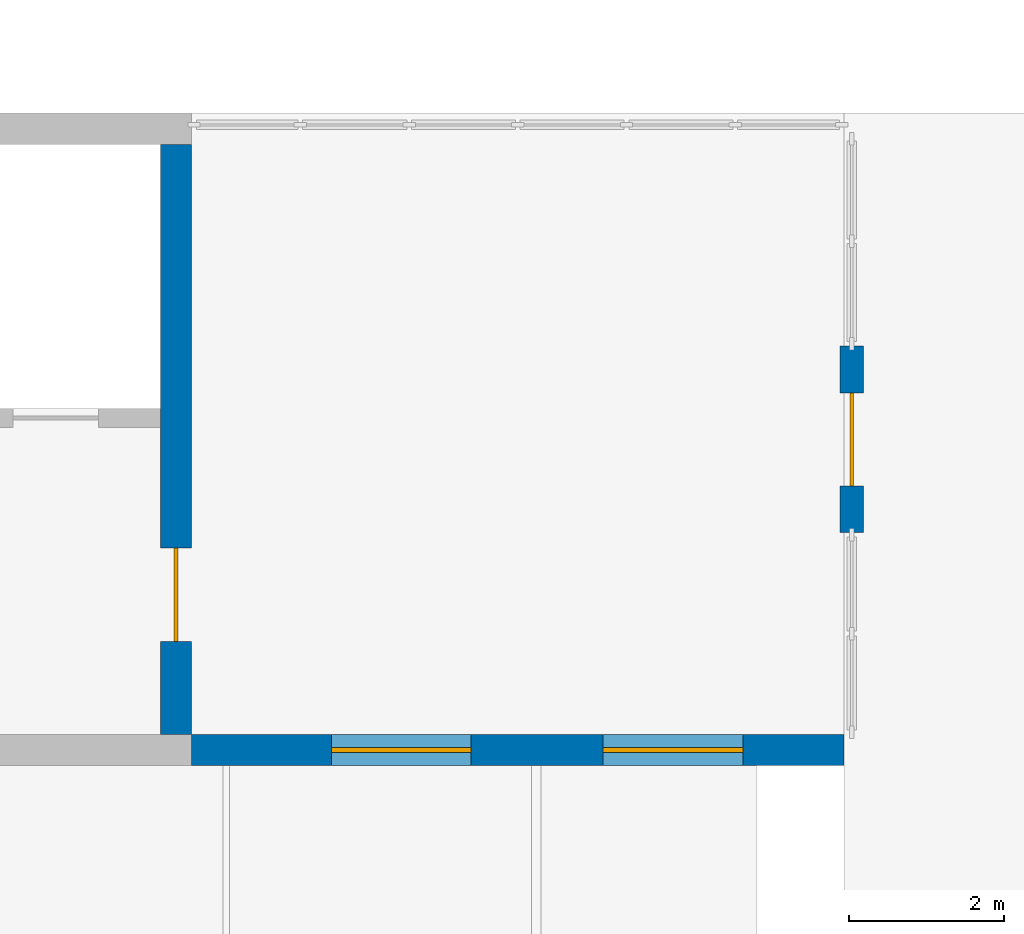
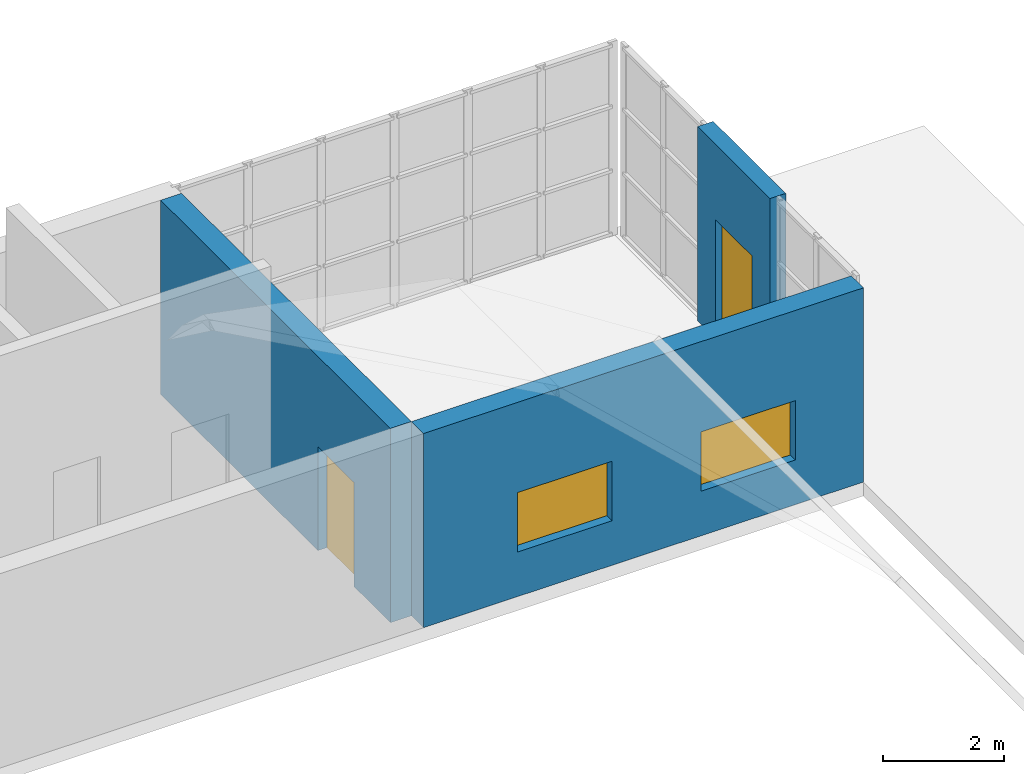
# One storey, part 79 of 100: 3 walls, 2 doors, 2 windows, 4 openings.
"""IFC4 building model written with IfcOpenShell, lengths in metres."""

from ifc_helpers import new_model, si_unit, direction, frame, frame_2d, origin, place, context, subcontext, project, spatial, rectangle, extrude, material, layer, layer_set, type_object, element, fill, save


model = new_model("IFC4")

# Units and contexts
model_context = context("Model", 3, precision=1e-05, world=origin(), true_north=direction((0.0, 1.0)))
body_context = subcontext(model_context, "Body", "Model", "MODEL_VIEW")
ifc_project = project(units=[si_unit("LENGTHUNIT", "METRE"), si_unit("AREAUNIT", "SQUARE_METRE"), si_unit("VOLUMEUNIT", "CUBIC_METRE"), si_unit("PLANEANGLEUNIT", "RADIAN"), si_unit("MASSUNIT", "GRAM", prefix="KILO")], contexts=[model_context])

# Site, building, storey
site_placement = place(None, origin())
site = spatial("IfcSite", under=ifc_project, at=site_placement, CompositionType="ELEMENT")
building_placement = place(site_placement, origin())
building = spatial("IfcBuilding", under=site, at=building_placement, Name="Cresset Court Congress Hotel", CompositionType="ELEMENT")
storey_placement = place(building_placement, frame((0.0, 0.0, 10.199951171875)))
storey = spatial("IfcBuildingStorey", under=building, at=storey_placement, Name="L02", CompositionType="ELEMENT", Elevation=10.199951171875)

# Wall, opening, door
ifc_material_1 = material(Name="Concrete C50", Category="concrete")
ifc_layer_1 = layer(ifc_material_1, 0.39990234375)
ifc_layer_set_1 = layer_set([ifc_layer_1], Name="RC core wall 400 C50")
wall_type_1 = type_object("IfcWallType", Name="RC core wall 400 C50", PredefinedType="SOLIDWALL", material=ifc_layer_set_1)
wall_1_placement = place(storey_placement, frame((142.60009765625, 101.199951171875, 0.0), z_axis=(0.0, 0.0, 1.0), x_axis=(0.0, 1.0, 0.0)))
wall_1 = element("IfcWall", 1, at=wall_1_placement, inside=storey, type_object=wall_type_1, Name="Core east wall", PredefinedType="SOLIDWALL", context=body_context, shape_type="SweptSolid", body=[
    extrude(rectangle(XDim=7.60009765625, YDim=0.39990234375, at=frame_2d((3.800048828125, 0.0))), origin(), (0.0, 0.0, 1.0), 3.920166015625),
])
opening_1_placement = place(wall_1_placement, frame((1.199951171875, 0.0, 0.0)))
opening_1 = element("IfcOpeningElement", 2, at=opening_1_placement, cuts=wall_1, Name="Opening DE-02-08", PredefinedType="OPENING", context=body_context, shape_type="SweptSolid", body=[
    extrude(rectangle(XDim=1.199951171875, YDim=2.10009765625, at=frame_2d((0.60009765625, 1.050048828125))), frame((0.0, 0.2099609375, 0.0), z_axis=(0.0, -1.0, 0.0), x_axis=(1.0, 0.0, 0.0)), (0.0, 0.0, 1.0), 0.419921875),
])
ifc_material_2 = material(Name="Timber door leaf", Category="wood")
door_type_1 = type_object("IfcDoorType", Name="Lift lobby door 1200x2100", OperationType="SINGLE_SWING_LEFT", PredefinedType="DOOR", material=ifc_material_2)
door_1_placement = place(opening_1_placement, origin())
door_1 = element("IfcDoor", 3, at=door_1_placement, inside=storey, type_object=door_type_1, Name="Lift lobby door DE-02-08", OperationType="SINGLE_SWING_LEFT", OverallHeight=2.10009765625, OverallWidth=1.199951171875, PredefinedType="DOOR", context=body_context, shape_type="SweptSolid", body=[
    extrude(rectangle(XDim=1.199951171875, YDim=2.10009765625, at=frame_2d((0.60009765625, 1.050048828125))), frame((0.0, 0.02490234375, 0.0), z_axis=(0.0, -1.0, 0.0), x_axis=(1.0, 0.0, 0.0)), (0.0, 0.0, 1.0), 0.050048828125),
])
fill(opening_1, door_1)

ifc_material_3 = material(Name="Concrete C40", Category="concrete")
ifc_layer_2 = layer(ifc_material_3, 0.300048828125)
ifc_layer_set_2 = layer_set([ifc_layer_2], Name="RC external wall 300 C40")
wall_type_2 = type_object("IfcWallType", Name="RC external wall 300 C40", PredefinedType="SOLIDWALL", material=ifc_layer_set_2)
wall_2_placement = place(storey_placement, frame((151.300048828125, 103.800048828125, 0.0), z_axis=(0.0, 0.0, 1.0), x_axis=(0.0, 1.0, 0.0)))
wall_2 = element("IfcWall", 4, at=wall_2_placement, inside=storey, type_object=wall_type_2, Name="Terrace door wall", PredefinedType="SOLIDWALL", context=body_context, shape_type="SweptSolid", body=[
    extrude(rectangle(XDim=2.39990234375, YDim=0.300048828125, at=frame_2d((1.199951171875, 0.0))), origin(), (0.0, 0.0, 1.0), 3.920166015625),
])
opening_2_placement = place(wall_2_placement, frame((0.60009765625, 0.0, 0.0)))
opening_2 = element("IfcOpeningElement", 5, at=opening_2_placement, cuts=wall_2, Name="Opening DE-02-01", PredefinedType="OPENING", context=body_context, shape_type="SweptSolid", body=[
    extrude(rectangle(XDim=1.199951171875, YDim=2.39990234375, at=frame_2d((0.60009765625, 1.199951171875))), frame((0.0, 0.159912109375, 0.0), z_axis=(0.0, -1.0, 0.0), x_axis=(1.0, 0.0, 0.0)), (0.0, 0.0, 1.0), 0.320068359375),
])
ifc_material_4 = material(Name="Timber door leaf", Category="wood")
door_type_2 = type_object("IfcDoorType", Name="Terrace door 1200x2400", OperationType="SINGLE_SWING_LEFT", PredefinedType="DOOR", material=ifc_material_4)
door_2_placement = place(opening_2_placement, origin())
door_2 = element("IfcDoor", 6, at=door_2_placement, inside=storey, type_object=door_type_2, Name="Terrace door DE-02-01", OperationType="SINGLE_SWING_LEFT", OverallHeight=2.39990234375, OverallWidth=1.199951171875, PredefinedType="DOOR", context=body_context, shape_type="SweptSolid", body=[
    extrude(rectangle(XDim=1.199951171875, YDim=2.39990234375, at=frame_2d((0.60009765625, 1.199951171875))), frame((0.0, 0.02490234375, 0.0), z_axis=(0.0, -1.0, 0.0), x_axis=(1.0, 0.0, 0.0)), (0.0, 0.0, 1.0), 0.050048828125),
])
fill(opening_2, door_2)

# Wall, openings, windows
ifc_material_5 = material(Name="Concrete C40", Category="concrete")
ifc_layer_3 = layer(ifc_material_5, 0.39990234375)
ifc_layer_set_3 = layer_set([ifc_layer_3], Name="RC gable wall 400 C40")
wall_type_3 = type_object("IfcWallType", Name="RC gable wall 400 C40", PredefinedType="SOLIDWALL", material=ifc_layer_set_3)
wall_3_placement = place(storey_placement, frame((142.800048828125, 101.0, 0.0), z_axis=(0.0, 0.0, 1.0), x_axis=(1.0, 0.0, 0.0)))
wall_3 = element("IfcWall", 7, at=wall_3_placement, inside=storey, type_object=wall_type_3, Name="Lounge south wall L02", PredefinedType="SOLIDWALL", context=body_context, shape_type="SweptSolid", body=[
    extrude(rectangle(XDim=8.39990234375, YDim=0.39990234375, at=frame_2d((4.199951171875, 0.0))), origin(), (0.0, 0.0, 1.0), 3.920166015625),
])
opening_3_placement = place(wall_3_placement, frame((1.800048828125, 0.0, 0.89990234375)))
opening_3 = element("IfcOpeningElement", 8, at=opening_3_placement, cuts=wall_3, Name="Opening NE-02-02", PredefinedType="OPENING", context=body_context, shape_type="SweptSolid", body=[
    extrude(rectangle(XDim=1.800048828125, YDim=1.199951171875, at=frame_2d((0.89990234375, 0.60009765625))), frame((0.0, 0.2099609375, 0.0), z_axis=(0.0, -1.0, 0.0), x_axis=(1.0, 0.0, 0.0)), (0.0, 0.0, 1.0), 0.419921875),
])
opening_4_placement = place(wall_3_placement, frame((5.300048828125, 0.0, 0.89990234375)))
opening_4 = element("IfcOpeningElement", 9, at=opening_4_placement, cuts=wall_3, Name="Opening NE-02-03", PredefinedType="OPENING", context=body_context, shape_type="SweptSolid", body=[
    extrude(rectangle(XDim=1.800048828125, YDim=1.199951171875, at=frame_2d((0.89990234375, 0.60009765625))), frame((0.0, 0.2099609375, 0.0), z_axis=(0.0, -1.0, 0.0), x_axis=(1.0, 0.0, 0.0)), (0.0, 0.0, 1.0), 0.419921875),
])
ifc_material_6 = material(Name="Aluminium frame with insulated glass", Category="aluminium")
window_type = type_object("IfcWindowType", Name="Window 1800x1200", PartitioningType="SINGLE_PANEL", PredefinedType="WINDOW", material=ifc_material_6)
window_1_placement = place(opening_3_placement, origin())
window_1 = element("IfcWindow", 10, at=window_1_placement, inside=storey, type_object=window_type, Name="Window NE-02-02", OverallHeight=1.199951171875, OverallWidth=1.800048828125, PartitioningType="SINGLE_PANEL", PredefinedType="WINDOW", context=body_context, shape_type="SweptSolid", body=[
    extrude(rectangle(XDim=1.800048828125, YDim=1.199951171875, at=frame_2d((0.89990234375, 0.60009765625))), frame((0.0, 0.030029296875, 0.0), z_axis=(0.0, -1.0, 0.0), x_axis=(1.0, 0.0, 0.0)), (0.0, 0.0, 1.0), 0.06005859375),
])
fill(opening_3, window_1)
window_2_placement = place(opening_4_placement, origin())
window_2 = element("IfcWindow", 11, at=window_2_placement, inside=storey, type_object=window_type, Name="Window NE-02-03", OverallHeight=1.199951171875, OverallWidth=1.800048828125, PartitioningType="SINGLE_PANEL", PredefinedType="WINDOW", context=body_context, shape_type="SweptSolid", body=[
    extrude(rectangle(XDim=1.800048828125, YDim=1.199951171875, at=frame_2d((0.89990234375, 0.60009765625))), frame((0.0, 0.030029296875, 0.0), z_axis=(0.0, -1.0, 0.0), x_axis=(1.0, 0.0, 0.0)), (0.0, 0.0, 1.0), 0.06005859375),
])
fill(opening_4, window_2)

save(model, "model.ifc")
